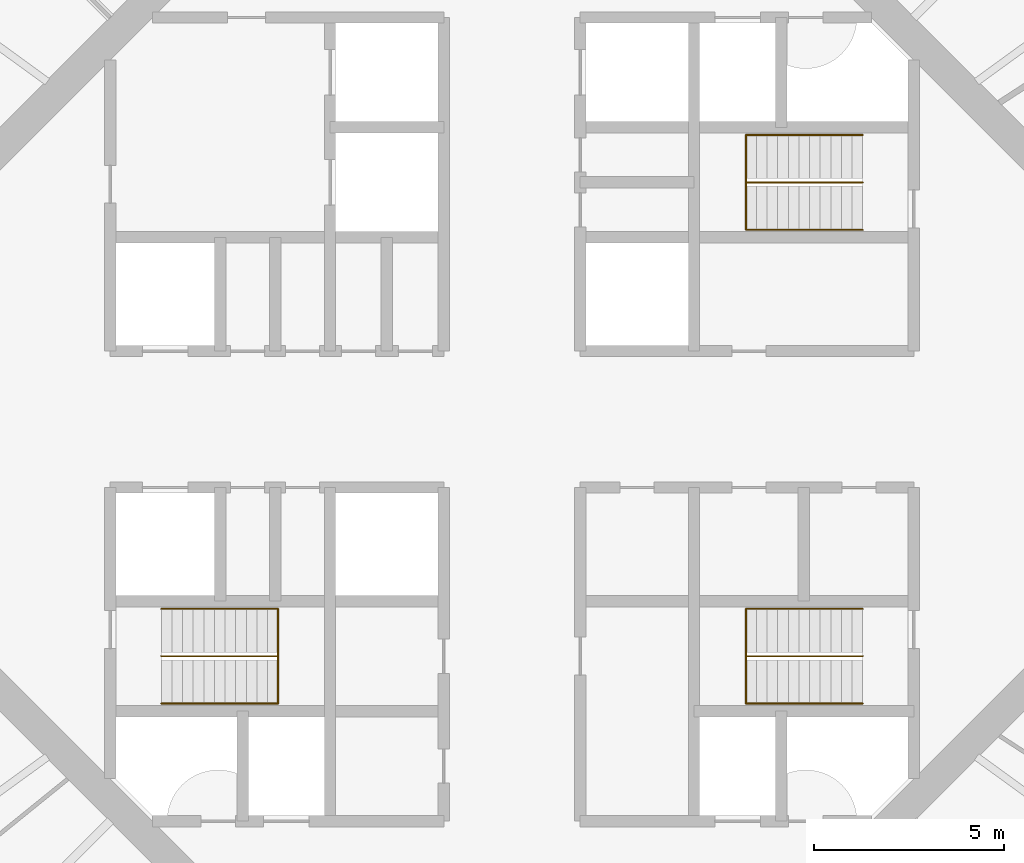
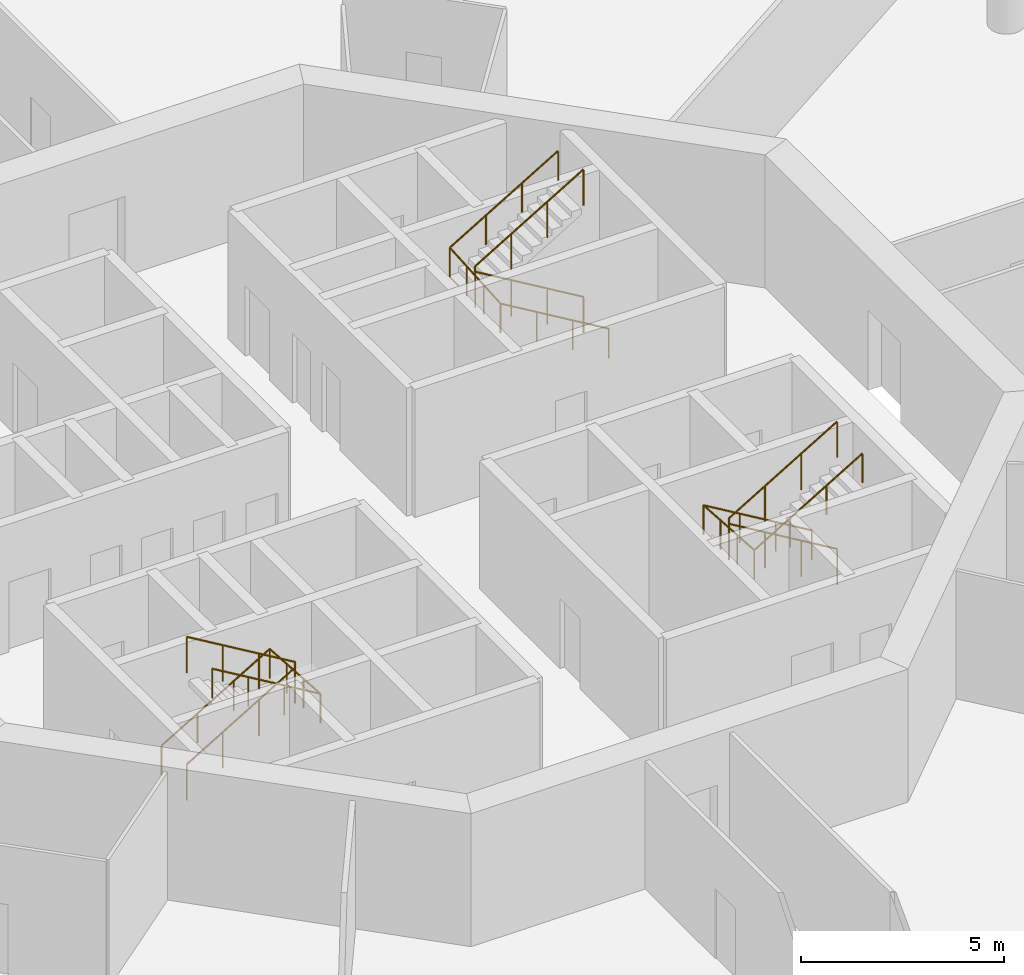
# One storey, part 13 of 13: 6 railings.
"""IFC4 building model written with IfcOpenShell, lengths in metres."""

from ifc_helpers import new_model, si_unit, direction, frame, origin, origin_2d, place, context, subcontext, project, spatial, circle, extrude, material, type_object, element, save


model = new_model("IFC4")

# Units and contexts
model_context = context("Model", 3, precision=1e-05, world=origin(), true_north=direction((0.0, 1.0)))
body_context = subcontext(model_context, "Body", "Model", "MODEL_VIEW")
ifc_project = project(units=[si_unit("LENGTHUNIT", "METRE"), si_unit("AREAUNIT", "SQUARE_METRE"), si_unit("VOLUMEUNIT", "CUBIC_METRE"), si_unit("PLANEANGLEUNIT", "RADIAN"), si_unit("MASSUNIT", "GRAM", prefix="KILO")], contexts=[model_context])

# Site, building, storey
site_placement = place(None, origin())
site = spatial("IfcSite", under=ifc_project, at=site_placement, CompositionType="ELEMENT")
building_placement = place(site_placement, origin())
building = spatial("IfcBuilding", under=site, at=building_placement, Name="Entoto Ring Tower", CompositionType="ELEMENT")
storey_placement = place(building_placement, frame((0.0, 0.0, 298.0)))
storey = spatial("IfcBuildingStorey", under=building, at=storey_placement, Name="L68", CompositionType="ELEMENT", Elevation=298.0)

# Railings
ifc_material_1 = material(Name="Steel S275", Category="steel")
railing_type_1 = type_object("IfcRailingType", Name="Stair guard 1100 mm steel", PredefinedType="GUARDRAIL", material=ifc_material_1)
railing_1_placement = place(storey_placement, frame((99.25, 86.25, 0.166748046875)))
element("IfcRailing", 1, at=railing_1_placement, inside=storey, type_object=railing_type_1, Name="Guard ST1", PredefinedType="GUARDRAIL", context=body_context, shape_type="SweptSolid", body=[
    extrude(circle(Radius=0.02392578125, at=origin_2d()), frame((0.0, 0.0, 1.076171875), z_axis=(-0.859308565015, 0.0, 0.511457515432), x_axis=(0.0, -1.0, 0.0)), (0.0, 0.0, 1.0), 3.58447265625),
    extrude(circle(Radius=0.02392578125, at=origin_2d()), frame((-3.080078125, 0.0, 2.9091796875), z_axis=(0.0, 0.0, 1.0), x_axis=(1.0, 0.0, 0.0)), (0.0, 0.0, 1.0), 0.166748046875),
    extrude(circle(Radius=0.02392578125, at=origin_2d()), frame((-3.080078125, 0.0, 3.076171875), z_axis=(0.859308565015, 0.0, 0.511457515432), x_axis=(0.0, 1.0, 0.0)), (0.0, 0.0, 1.0), 3.58447265625),
    extrude(circle(Radius=0.02099609375, at=origin_2d()), origin(), (0.0, 0.0, 1.0), 1.052001953125),
    extrude(circle(Radius=0.02099609375, at=origin_2d()), frame((-1.026611328125, 0.0, 0.611083984375)), (0.0, 0.0, 1.0), 1.052001953125),
    extrude(circle(Radius=0.02099609375, at=origin_2d()), frame((-2.053466796875, 0.0, 1.22216796875)), (0.0, 0.0, 1.0), 1.052001953125),
    extrude(circle(Radius=0.02099609375, at=origin_2d()), frame((-3.080078125, 0.0, 1.833251953125)), (0.0, 0.0, 1.0), 1.052001953125),
    extrude(circle(Radius=0.02099609375, at=origin_2d()), frame((-3.080078125, 0.0, 2.0)), (0.0, 0.0, 1.0), 1.052001953125),
    extrude(circle(Radius=0.02099609375, at=origin_2d()), frame((-2.053466796875, 0.0, 2.611083984375)), (0.0, 0.0, 1.0), 1.052001953125),
    extrude(circle(Radius=0.02099609375, at=origin_2d()), frame((-1.026611328125, 0.0, 3.22216796875)), (0.0, 0.0, 1.0), 1.052001953125),
    extrude(circle(Radius=0.02099609375, at=origin_2d()), frame((0.0, 0.0, 3.833251953125)), (0.0, 0.0, 1.0), 1.052001953125),
])
railing_2_placement = place(storey_placement, frame((80.75, 73.75, 0.166748046875)))
element("IfcRailing", 2, at=railing_2_placement, inside=storey, type_object=railing_type_1, Name="Guard ST2", PredefinedType="GUARDRAIL", context=body_context, shape_type="SweptSolid", body=[
    extrude(circle(Radius=0.02392578125, at=origin_2d()), frame((0.0, 0.0, 1.076171875), z_axis=(0.859308565015, 0.0, 0.511457515432), x_axis=(0.0, 1.0, 0.0)), (0.0, 0.0, 1.0), 3.58447265625),
    extrude(circle(Radius=0.02392578125, at=origin_2d()), frame((3.080078125, 0.0, 2.9091796875), z_axis=(0.0, 0.0, 1.0), x_axis=(1.0, 0.0, 0.0)), (0.0, 0.0, 1.0), 0.166748046875),
    extrude(circle(Radius=0.02392578125, at=origin_2d()), frame((3.080078125, 0.0, 3.076171875), z_axis=(-0.859308565015, 0.0, 0.511457515432), x_axis=(0.0, -1.0, 0.0)), (0.0, 0.0, 1.0), 3.58447265625),
    extrude(circle(Radius=0.02099609375, at=origin_2d()), origin(), (0.0, 0.0, 1.0), 1.052001953125),
    extrude(circle(Radius=0.02099609375, at=origin_2d()), frame((1.026611328125, 0.0, 0.611083984375)), (0.0, 0.0, 1.0), 1.052001953125),
    extrude(circle(Radius=0.02099609375, at=origin_2d()), frame((2.053466796875, 0.0, 1.22216796875)), (0.0, 0.0, 1.0), 1.052001953125),
    extrude(circle(Radius=0.02099609375, at=origin_2d()), frame((3.080078125, 0.0, 1.833251953125)), (0.0, 0.0, 1.0), 1.052001953125),
    extrude(circle(Radius=0.02099609375, at=origin_2d()), frame((3.080078125, 0.0, 2.0)), (0.0, 0.0, 1.0), 1.052001953125),
    extrude(circle(Radius=0.02099609375, at=origin_2d()), frame((2.053466796875, 0.0, 2.611083984375)), (0.0, 0.0, 1.0), 1.052001953125),
    extrude(circle(Radius=0.02099609375, at=origin_2d()), frame((1.026611328125, 0.0, 3.22216796875)), (0.0, 0.0, 1.0), 1.052001953125),
    extrude(circle(Radius=0.02099609375, at=origin_2d()), frame((0.0, 0.0, 3.833251953125)), (0.0, 0.0, 1.0), 1.052001953125),
])
railing_3_placement = place(storey_placement, frame((99.25, 73.75, 0.166748046875)))
element("IfcRailing", 3, at=railing_3_placement, inside=storey, type_object=railing_type_1, Name="Guard ST3", PredefinedType="GUARDRAIL", context=body_context, shape_type="SweptSolid", body=[
    extrude(circle(Radius=0.02392578125, at=origin_2d()), frame((0.0, 0.0, 1.076171875), z_axis=(-0.859308565015, 0.0, 0.511457515432), x_axis=(0.0, -1.0, 0.0)), (0.0, 0.0, 1.0), 3.58447265625),
    extrude(circle(Radius=0.02392578125, at=origin_2d()), frame((-3.080078125, 0.0, 2.9091796875), z_axis=(0.0, 0.0, 1.0), x_axis=(1.0, 0.0, 0.0)), (0.0, 0.0, 1.0), 0.166748046875),
    extrude(circle(Radius=0.02392578125, at=origin_2d()), frame((-3.080078125, 0.0, 3.076171875), z_axis=(0.859308565015, 0.0, 0.511457515432), x_axis=(0.0, 1.0, 0.0)), (0.0, 0.0, 1.0), 3.58447265625),
    extrude(circle(Radius=0.02099609375, at=origin_2d()), origin(), (0.0, 0.0, 1.0), 1.052001953125),
    extrude(circle(Radius=0.02099609375, at=origin_2d()), frame((-1.026611328125, 0.0, 0.611083984375)), (0.0, 0.0, 1.0), 1.052001953125),
    extrude(circle(Radius=0.02099609375, at=origin_2d()), frame((-2.053466796875, 0.0, 1.22216796875)), (0.0, 0.0, 1.0), 1.052001953125),
    extrude(circle(Radius=0.02099609375, at=origin_2d()), frame((-3.080078125, 0.0, 1.833251953125)), (0.0, 0.0, 1.0), 1.052001953125),
    extrude(circle(Radius=0.02099609375, at=origin_2d()), frame((-3.080078125, 0.0, 2.0)), (0.0, 0.0, 1.0), 1.052001953125),
    extrude(circle(Radius=0.02099609375, at=origin_2d()), frame((-2.053466796875, 0.0, 2.611083984375)), (0.0, 0.0, 1.0), 1.052001953125),
    extrude(circle(Radius=0.02099609375, at=origin_2d()), frame((-1.026611328125, 0.0, 3.22216796875)), (0.0, 0.0, 1.0), 1.052001953125),
    extrude(circle(Radius=0.02099609375, at=origin_2d()), frame((0.0, 0.0, 3.833251953125)), (0.0, 0.0, 1.0), 1.052001953125),
])
ifc_material_2 = material(Name="Steel S275", Category="steel")
railing_type_2 = type_object("IfcRailingType", Name="Stair handrail 900 mm steel", PredefinedType="HANDRAIL", material=ifc_material_2)
railing_4_placement = place(storey_placement, frame((99.25, 85.0, 0.166748046875)))
element("IfcRailing", 4, at=railing_4_placement, inside=storey, type_object=railing_type_2, Name="Handrail ST1", PredefinedType="HANDRAIL", context=body_context, shape_type="SweptSolid", body=[
    extrude(circle(Radius=0.02392578125, at=origin_2d()), frame((0.0, 0.0, 0.8759765625), z_axis=(-0.859308565015, 0.0, 0.511457515432), x_axis=(0.0, -1.0, 0.0)), (0.0, 0.0, 1.0), 3.58447265625),
    extrude(circle(Radius=0.02392578125, at=origin_2d()), frame((-3.080078125, 0.0, 2.708984375), z_axis=(0.0, 0.997783001586, 0.066551346688), x_axis=(-1.0, 0.0, 0.0)), (0.0, 0.0, 1.0), 2.505615234375),
    extrude(circle(Radius=0.02392578125, at=origin_2d()), frame((-3.080078125, 2.5, 2.8759765625), z_axis=(0.859308565015, 0.0, 0.511457515432), x_axis=(0.0, 1.0, 0.0)), (0.0, 0.0, 1.0), 3.58447265625),
    extrude(circle(Radius=0.02099609375, at=origin_2d()), origin(), (0.0, 0.0, 1.0), 0.851806640625),
    extrude(circle(Radius=0.02099609375, at=origin_2d()), frame((-1.026611328125, 0.0, 0.611083984375)), (0.0, 0.0, 1.0), 0.851806640625),
    extrude(circle(Radius=0.02099609375, at=origin_2d()), frame((-2.053466796875, 0.0, 1.22216796875)), (0.0, 0.0, 1.0), 0.851806640625),
    extrude(circle(Radius=0.02099609375, at=origin_2d()), frame((-3.080078125, 0.0, 1.833251953125)), (0.0, 0.0, 1.0), 0.851806640625),
    extrude(circle(Radius=0.02099609375, at=origin_2d()), frame((-3.080078125, 0.833251953125, 1.888916015625)), (0.0, 0.0, 1.0), 0.851806640625),
    extrude(circle(Radius=0.02099609375, at=origin_2d()), frame((-3.080078125, 1.666748046875, 1.9443359375)), (0.0, 0.0, 1.0), 0.851806640625),
    extrude(circle(Radius=0.02099609375, at=origin_2d()), frame((-3.080078125, 2.5, 2.0)), (0.0, 0.0, 1.0), 0.851806640625),
    extrude(circle(Radius=0.02099609375, at=origin_2d()), frame((-2.053466796875, 2.5, 2.611083984375)), (0.0, 0.0, 1.0), 0.851806640625),
    extrude(circle(Radius=0.02099609375, at=origin_2d()), frame((-1.026611328125, 2.5, 3.22216796875)), (0.0, 0.0, 1.0), 0.851806640625),
    extrude(circle(Radius=0.02099609375, at=origin_2d()), frame((0.0, 2.5, 3.833251953125)), (0.0, 0.0, 1.0), 0.851806640625),
])
railing_5_placement = place(storey_placement, frame((80.75, 75.0, 0.166748046875)))
element("IfcRailing", 5, at=railing_5_placement, inside=storey, type_object=railing_type_2, Name="Handrail ST2", PredefinedType="HANDRAIL", context=body_context, shape_type="SweptSolid", body=[
    extrude(circle(Radius=0.02392578125, at=origin_2d()), frame((0.0, 0.0, 0.8759765625), z_axis=(0.859308565015, 0.0, 0.511457515432), x_axis=(0.0, 1.0, 0.0)), (0.0, 0.0, 1.0), 3.58447265625),
    extrude(circle(Radius=0.02392578125, at=origin_2d()), frame((3.080078125, 0.0, 2.708984375), z_axis=(0.0, -0.997783001586, 0.066551346688), x_axis=(1.0, 0.0, 0.0)), (0.0, 0.0, 1.0), 2.505615234375),
    extrude(circle(Radius=0.02392578125, at=origin_2d()), frame((3.080078125, -2.5, 2.8759765625), z_axis=(-0.859308565015, 0.0, 0.511457515432), x_axis=(0.0, -1.0, 0.0)), (0.0, 0.0, 1.0), 3.58447265625),
    extrude(circle(Radius=0.02099609375, at=origin_2d()), origin(), (0.0, 0.0, 1.0), 0.851806640625),
    extrude(circle(Radius=0.02099609375, at=origin_2d()), frame((1.026611328125, 0.0, 0.611083984375)), (0.0, 0.0, 1.0), 0.851806640625),
    extrude(circle(Radius=0.02099609375, at=origin_2d()), frame((2.053466796875, 0.0, 1.22216796875)), (0.0, 0.0, 1.0), 0.851806640625),
    extrude(circle(Radius=0.02099609375, at=origin_2d()), frame((3.080078125, 0.0, 1.833251953125)), (0.0, 0.0, 1.0), 0.851806640625),
    extrude(circle(Radius=0.02099609375, at=origin_2d()), frame((3.080078125, -0.833251953125, 1.888916015625)), (0.0, 0.0, 1.0), 0.851806640625),
    extrude(circle(Radius=0.02099609375, at=origin_2d()), frame((3.080078125, -1.666748046875, 1.9443359375)), (0.0, 0.0, 1.0), 0.851806640625),
    extrude(circle(Radius=0.02099609375, at=origin_2d()), frame((3.080078125, -2.5, 2.0)), (0.0, 0.0, 1.0), 0.851806640625),
    extrude(circle(Radius=0.02099609375, at=origin_2d()), frame((2.053466796875, -2.5, 2.611083984375)), (0.0, 0.0, 1.0), 0.851806640625),
    extrude(circle(Radius=0.02099609375, at=origin_2d()), frame((1.026611328125, -2.5, 3.22216796875)), (0.0, 0.0, 1.0), 0.851806640625),
    extrude(circle(Radius=0.02099609375, at=origin_2d()), frame((0.0, -2.5, 3.833251953125)), (0.0, 0.0, 1.0), 0.851806640625),
])
railing_6_placement = place(storey_placement, frame((99.25, 75.0, 0.166748046875)))
element("IfcRailing", 6, at=railing_6_placement, inside=storey, type_object=railing_type_2, Name="Handrail ST3", PredefinedType="HANDRAIL", context=body_context, shape_type="SweptSolid", body=[
    extrude(circle(Radius=0.02392578125, at=origin_2d()), frame((0.0, 0.0, 0.8759765625), z_axis=(-0.859308565015, 0.0, 0.511457515432), x_axis=(0.0, -1.0, 0.0)), (0.0, 0.0, 1.0), 3.58447265625),
    extrude(circle(Radius=0.02392578125, at=origin_2d()), frame((-3.080078125, 0.0, 2.708984375), z_axis=(0.0, -0.997783001586, 0.066551346688), x_axis=(1.0, 0.0, 0.0)), (0.0, 0.0, 1.0), 2.505615234375),
    extrude(circle(Radius=0.02392578125, at=origin_2d()), frame((-3.080078125, -2.5, 2.8759765625), z_axis=(0.859308565015, 0.0, 0.511457515432), x_axis=(0.0, 1.0, 0.0)), (0.0, 0.0, 1.0), 3.58447265625),
    extrude(circle(Radius=0.02099609375, at=origin_2d()), origin(), (0.0, 0.0, 1.0), 0.851806640625),
    extrude(circle(Radius=0.02099609375, at=origin_2d()), frame((-1.026611328125, 0.0, 0.611083984375)), (0.0, 0.0, 1.0), 0.851806640625),
    extrude(circle(Radius=0.02099609375, at=origin_2d()), frame((-2.053466796875, 0.0, 1.22216796875)), (0.0, 0.0, 1.0), 0.851806640625),
    extrude(circle(Radius=0.02099609375, at=origin_2d()), frame((-3.080078125, 0.0, 1.833251953125)), (0.0, 0.0, 1.0), 0.851806640625),
    extrude(circle(Radius=0.02099609375, at=origin_2d()), frame((-3.080078125, -0.833251953125, 1.888916015625)), (0.0, 0.0, 1.0), 0.851806640625),
    extrude(circle(Radius=0.02099609375, at=origin_2d()), frame((-3.080078125, -1.666748046875, 1.9443359375)), (0.0, 0.0, 1.0), 0.851806640625),
    extrude(circle(Radius=0.02099609375, at=origin_2d()), frame((-3.080078125, -2.5, 2.0)), (0.0, 0.0, 1.0), 0.851806640625),
    extrude(circle(Radius=0.02099609375, at=origin_2d()), frame((-2.053466796875, -2.5, 2.611083984375)), (0.0, 0.0, 1.0), 0.851806640625),
    extrude(circle(Radius=0.02099609375, at=origin_2d()), frame((-1.026611328125, -2.5, 3.22216796875)), (0.0, 0.0, 1.0), 0.851806640625),
    extrude(circle(Radius=0.02099609375, at=origin_2d()), frame((0.0, -2.5, 3.833251953125)), (0.0, 0.0, 1.0), 0.851806640625),
])

save(model, "model.ifc")
